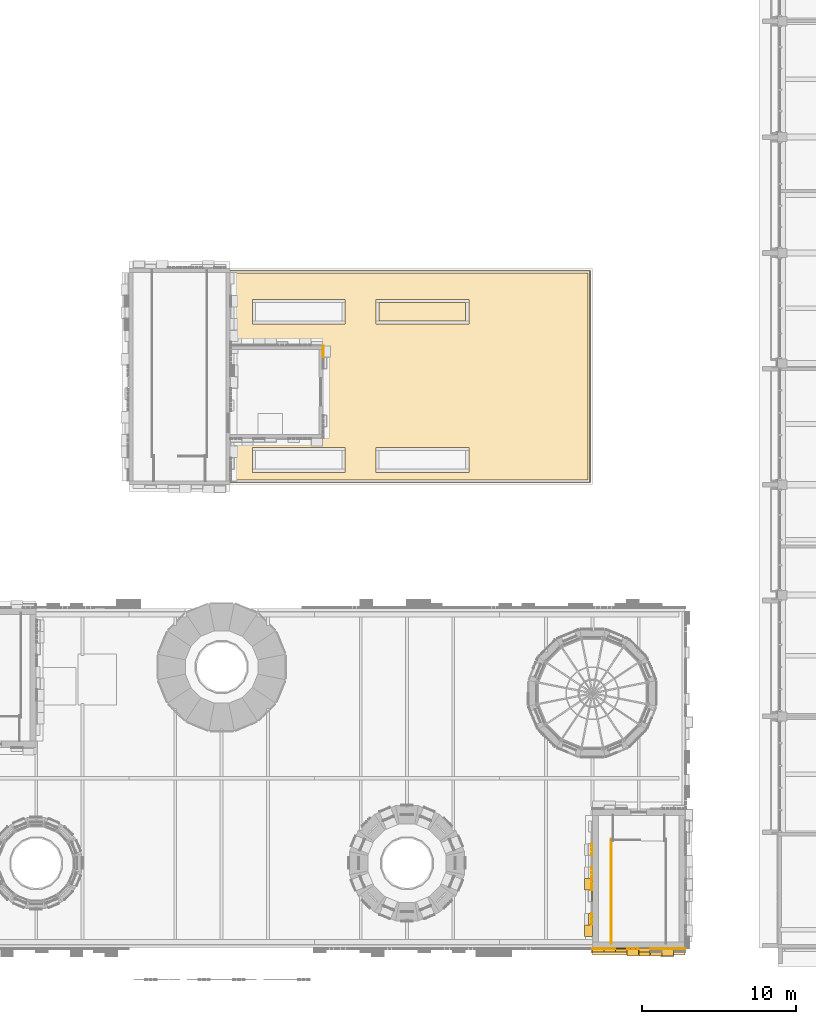
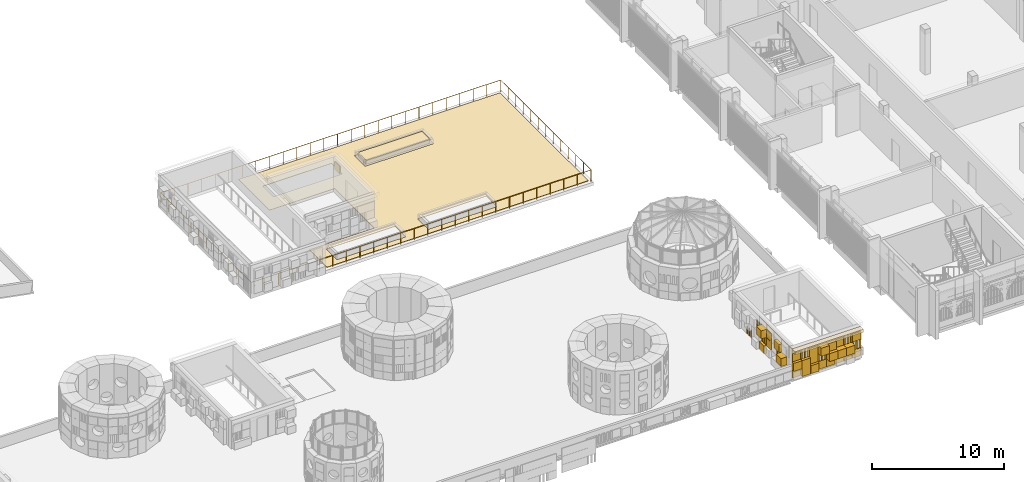
# One storey, part 83 of 98: 13 coverings, 2 railings.
"""IFC4 building model written with IfcOpenShell, lengths in metres."""

from ifc_helpers import new_model, si_unit, direction, frame, origin, origin_2d, place, context, subcontext, project, spatial, polyline, rectangle, circle, outline, extrude, material, layer, layer_set, type_object, element, save


model = new_model("IFC4")

# Units and contexts
model_context = context("Model", 3, precision=1e-05, world=origin(), true_north=direction((0.0, 1.0)))
body_context = subcontext(model_context, "Body", "Model", "MODEL_VIEW")
ifc_project = project(units=[si_unit("LENGTHUNIT", "METRE"), si_unit("AREAUNIT", "SQUARE_METRE"), si_unit("VOLUMEUNIT", "CUBIC_METRE"), si_unit("PLANEANGLEUNIT", "RADIAN"), si_unit("MASSUNIT", "GRAM", prefix="KILO")], contexts=[model_context])

# Site, building, storey
site_placement = place(None, origin())
site = spatial("IfcSite", under=ifc_project, at=site_placement, CompositionType="ELEMENT")
building_placement = place(site_placement, origin())
building = spatial("IfcBuilding", under=site, at=building_placement, Name="Sun Court Science Centre", CompositionType="ELEMENT")
storey_placement = place(building_placement, frame((0.0, 0.0, 15.75)))
storey = spatial("IfcBuildingStorey", under=building, at=storey_placement, Name="L03", CompositionType="ELEMENT", Elevation=15.75)

# Railing
ifc_material_1 = material(Name="Steel S275", Category="steel")
railing_type_1 = type_object("IfcRailingType", Name="Guard 1100 steel balustrade", PredefinedType="GUARDRAIL", material=ifc_material_1)
railing_1_placement = place(storey_placement, frame((67.22705078125, 13.052001953125, 0.0)))
element("IfcRailing", 1, at=railing_1_placement, inside=storey, type_object=railing_type_1, Name="L03 SB3 top well guard 2", PredefinedType="GUARDRAIL", context=body_context, shape_type="SweptSolid", body=[
    extrude(circle(Radius=0.02392578125, at=origin_2d()), frame((0.0, 0.0, 1.076171875), z_axis=(0.0, -1.0, 0.0), x_axis=(1.0, 0.0, 0.0)), (0.0, 0.0, 1.0), 6.751953125),
    extrude(circle(Radius=0.02099609375, at=origin_2d()), origin(), (0.0, 0.0, 1.0), 1.052001953125),
    extrude(circle(Radius=0.02099609375, at=origin_2d()), frame((0.0, -1.125244140625, 0.0)), (0.0, 0.0, 1.0), 1.052001953125),
    extrude(circle(Radius=0.02099609375, at=origin_2d()), frame((0.0, -2.250732421875, 0.0)), (0.0, 0.0, 1.0), 1.052001953125),
    extrude(circle(Radius=0.02099609375, at=origin_2d()), frame((0.0, -3.3759765625, 0.0)), (0.0, 0.0, 1.0), 1.052001953125),
    extrude(circle(Radius=0.02099609375, at=origin_2d()), frame((0.0, -4.501220703125, 0.0)), (0.0, 0.0, 1.0), 1.052001953125),
    extrude(circle(Radius=0.02099609375, at=origin_2d()), frame((0.0, -5.626708984375, 0.0)), (0.0, 0.0, 1.0), 1.052001953125),
    extrude(circle(Radius=0.02099609375, at=origin_2d()), frame((0.0, -6.751953125, 0.0)), (0.0, 0.0, 1.0), 1.052001953125),
])

# Covering
ifc_material_2 = material(Name="Planting soil and lawn")
ifc_layer_1 = layer(ifc_material_2, 0.199951171875)
ifc_layer_set_1 = layer_set([ifc_layer_1], Name="Planting soil and lawn")
covering_type_1 = type_object("IfcCoveringType", Name="Planting bed 200", PredefinedType="FLOORING", material=ifc_layer_set_1)
covering_1_placement = place(storey_placement, origin())
element("IfcCovering", 2, at=covering_1_placement, inside=storey, type_object=covering_type_1, Name="Roof garden planting bed", PredefinedType="FLOORING", context=body_context, shape_type="SweptSolid", body=[
    extrude(outline(polyline([(52.199951171875, 46.60009765625), (57.800048828125, 46.60009765625), (57.800048828125, 47.800048828125), (52.199951171875, 47.800048828125), (52.199951171875, 46.60009765625)])), origin(), (0.0, 0.0, 1.0), 0.39990234375),
])

# Railing
ifc_material_3 = material(Name="Steel S275", Category="steel")
railing_type_2 = type_object("IfcRailingType", Name="Roof guard 1100 steel balustrade", PredefinedType="GUARDRAIL", material=ifc_material_3)
railing_2_placement = place(storey_placement, frame((65.85009765625, 36.14990234375, 0.0)))
element("IfcRailing", 3, at=railing_2_placement, inside=storey, type_object=railing_type_2, Name="Pavilion roof garden guard", PredefinedType="GUARDRAIL", context=body_context, shape_type="SweptSolid", body=[
    extrude(circle(Radius=0.02392578125, at=origin_2d()), frame((0.0, 0.0, 1.076171875), z_axis=(0.0, 1.0, 0.0), x_axis=(-1.0, 0.0, 0.0)), (0.0, 0.0, 1.0), 13.7001953125),
    extrude(circle(Radius=0.02392578125, at=origin_2d()), frame((0.0, 13.7001953125, 1.076171875), z_axis=(-1.0, 0.0, 0.0), x_axis=(0.0, -1.0, 0.0)), (0.0, 0.0, 1.0), 29.7001953125),
    extrude(circle(Radius=0.02392578125, at=origin_2d()), frame((-29.7001953125, 13.7001953125, 1.076171875), z_axis=(0.0, -1.0, 0.0), x_axis=(1.0, 0.0, 0.0)), (0.0, 0.0, 1.0), 13.7001953125),
    extrude(circle(Radius=0.02392578125, at=origin_2d()), frame((-29.7001953125, 0.0, 1.076171875), z_axis=(1.0, 0.0, 0.0), x_axis=(0.0, 1.0, 0.0)), (0.0, 0.0, 1.0), 29.7001953125),
    extrude(circle(Radius=0.02099609375, at=origin_2d()), origin(), (0.0, 0.0, 1.0), 1.052001953125),
    extrude(circle(Radius=0.02099609375, at=origin_2d()), frame((0.0, 1.1416015625, 0.0)), (0.0, 0.0, 1.0), 1.052001953125),
    extrude(circle(Radius=0.02099609375, at=origin_2d()), frame((0.0, 2.283447265625, 0.0)), (0.0, 0.0, 1.0), 1.052001953125),
    extrude(circle(Radius=0.02099609375, at=origin_2d()), frame((0.0, 3.425048828125, 0.0)), (0.0, 0.0, 1.0), 1.052001953125),
    extrude(circle(Radius=0.02099609375, at=origin_2d()), frame((0.0, 4.566650390625, 0.0)), (0.0, 0.0, 1.0), 1.052001953125),
    extrude(circle(Radius=0.02099609375, at=origin_2d()), frame((0.0, 5.70849609375, 0.0)), (0.0, 0.0, 1.0), 1.052001953125),
    extrude(circle(Radius=0.02099609375, at=origin_2d()), frame((0.0, 6.85009765625, 0.0)), (0.0, 0.0, 1.0), 1.052001953125),
    extrude(circle(Radius=0.02099609375, at=origin_2d()), frame((0.0, 7.99169921875, 0.0)), (0.0, 0.0, 1.0), 1.052001953125),
    extrude(circle(Radius=0.02099609375, at=origin_2d()), frame((0.0, 9.133544921875, 0.0)), (0.0, 0.0, 1.0), 1.052001953125),
    extrude(circle(Radius=0.02099609375, at=origin_2d()), frame((0.0, 10.275146484375, 0.0)), (0.0, 0.0, 1.0), 1.052001953125),
    extrude(circle(Radius=0.02099609375, at=origin_2d()), frame((0.0, 11.416748046875, 0.0)), (0.0, 0.0, 1.0), 1.052001953125),
    extrude(circle(Radius=0.02099609375, at=origin_2d()), frame((0.0, 12.55859375, 0.0)), (0.0, 0.0, 1.0), 1.052001953125),
    extrude(circle(Radius=0.02099609375, at=origin_2d()), frame((0.0, 13.7001953125, 0.0)), (0.0, 0.0, 1.0), 1.052001953125),
    extrude(circle(Radius=0.02099609375, at=origin_2d()), frame((-1.18798828125, 13.7001953125, 0.0)), (0.0, 0.0, 1.0), 1.052001953125),
    extrude(circle(Radius=0.02099609375, at=origin_2d()), frame((-2.3759765625, 13.7001953125, 0.0)), (0.0, 0.0, 1.0), 1.052001953125),
    extrude(circle(Radius=0.02099609375, at=origin_2d()), frame((-3.56396484375, 13.7001953125, 0.0)), (0.0, 0.0, 1.0), 1.052001953125),
    extrude(circle(Radius=0.02099609375, at=origin_2d()), frame((-4.751953125, 13.7001953125, 0.0)), (0.0, 0.0, 1.0), 1.052001953125),
    extrude(circle(Radius=0.02099609375, at=origin_2d()), frame((-5.93994140625, 13.7001953125, 0.0)), (0.0, 0.0, 1.0), 1.052001953125),
    extrude(circle(Radius=0.02099609375, at=origin_2d()), frame((-7.1279296875, 13.7001953125, 0.0)), (0.0, 0.0, 1.0), 1.052001953125),
    extrude(circle(Radius=0.02099609375, at=origin_2d()), frame((-8.316162109375, 13.7001953125, 0.0)), (0.0, 0.0, 1.0), 1.052001953125),
    extrude(circle(Radius=0.02099609375, at=origin_2d()), frame((-9.504150390625, 13.7001953125, 0.0)), (0.0, 0.0, 1.0), 1.052001953125),
    extrude(circle(Radius=0.02099609375, at=origin_2d()), frame((-10.692138671875, 13.7001953125, 0.0)), (0.0, 0.0, 1.0), 1.052001953125),
    extrude(circle(Radius=0.02099609375, at=origin_2d()), frame((-11.880126953125, 13.7001953125, 0.0)), (0.0, 0.0, 1.0), 1.052001953125),
    extrude(circle(Radius=0.02099609375, at=origin_2d()), frame((-13.068115234375, 13.7001953125, 0.0)), (0.0, 0.0, 1.0), 1.052001953125),
    extrude(circle(Radius=0.02099609375, at=origin_2d()), frame((-14.256103515625, 13.7001953125, 0.0)), (0.0, 0.0, 1.0), 1.052001953125),
    extrude(circle(Radius=0.02099609375, at=origin_2d()), frame((-15.444091796875, 13.7001953125, 0.0)), (0.0, 0.0, 1.0), 1.052001953125),
    extrude(circle(Radius=0.02099609375, at=origin_2d()), frame((-16.632080078125, 13.7001953125, 0.0)), (0.0, 0.0, 1.0), 1.052001953125),
    extrude(circle(Radius=0.02099609375, at=origin_2d()), frame((-17.820068359375, 13.7001953125, 0.0)), (0.0, 0.0, 1.0), 1.052001953125),
    extrude(circle(Radius=0.02099609375, at=origin_2d()), frame((-19.008056640625, 13.7001953125, 0.0)), (0.0, 0.0, 1.0), 1.052001953125),
    extrude(circle(Radius=0.02099609375, at=origin_2d()), frame((-20.196044921875, 13.7001953125, 0.0)), (0.0, 0.0, 1.0), 1.052001953125),
    extrude(circle(Radius=0.02099609375, at=origin_2d()), frame((-21.384033203125, 13.7001953125, 0.0)), (0.0, 0.0, 1.0), 1.052001953125),
    extrude(circle(Radius=0.02099609375, at=origin_2d()), frame((-22.572265625, 13.7001953125, 0.0)), (0.0, 0.0, 1.0), 1.052001953125),
    extrude(circle(Radius=0.02099609375, at=origin_2d()), frame((-23.76025390625, 13.7001953125, 0.0)), (0.0, 0.0, 1.0), 1.052001953125),
    extrude(circle(Radius=0.02099609375, at=origin_2d()), frame((-24.9482421875, 13.7001953125, 0.0)), (0.0, 0.0, 1.0), 1.052001953125),
    extrude(circle(Radius=0.02099609375, at=origin_2d()), frame((-26.13623046875, 13.7001953125, 0.0)), (0.0, 0.0, 1.0), 1.052001953125),
    extrude(circle(Radius=0.02099609375, at=origin_2d()), frame((-27.32421875, 13.7001953125, 0.0)), (0.0, 0.0, 1.0), 1.052001953125),
    extrude(circle(Radius=0.02099609375, at=origin_2d()), frame((-28.51220703125, 13.7001953125, 0.0)), (0.0, 0.0, 1.0), 1.052001953125),
    extrude(circle(Radius=0.02099609375, at=origin_2d()), frame((-29.7001953125, 13.7001953125, 0.0)), (0.0, 0.0, 1.0), 1.052001953125),
    extrude(circle(Radius=0.02099609375, at=origin_2d()), frame((-29.7001953125, 12.55859375, 0.0)), (0.0, 0.0, 1.0), 1.052001953125),
    extrude(circle(Radius=0.02099609375, at=origin_2d()), frame((-29.7001953125, 11.416748046875, 0.0)), (0.0, 0.0, 1.0), 1.052001953125),
    extrude(circle(Radius=0.02099609375, at=origin_2d()), frame((-29.7001953125, 10.275146484375, 0.0)), (0.0, 0.0, 1.0), 1.052001953125),
    extrude(circle(Radius=0.02099609375, at=origin_2d()), frame((-29.7001953125, 9.133544921875, 0.0)), (0.0, 0.0, 1.0), 1.052001953125),
    extrude(circle(Radius=0.02099609375, at=origin_2d()), frame((-29.7001953125, 7.99169921875, 0.0)), (0.0, 0.0, 1.0), 1.052001953125),
    extrude(circle(Radius=0.02099609375, at=origin_2d()), frame((-29.7001953125, 6.85009765625, 0.0)), (0.0, 0.0, 1.0), 1.052001953125),
    extrude(circle(Radius=0.02099609375, at=origin_2d()), frame((-29.7001953125, 5.70849609375, 0.0)), (0.0, 0.0, 1.0), 1.052001953125),
    extrude(circle(Radius=0.02099609375, at=origin_2d()), frame((-29.7001953125, 4.566650390625, 0.0)), (0.0, 0.0, 1.0), 1.052001953125),
    extrude(circle(Radius=0.02099609375, at=origin_2d()), frame((-29.7001953125, 3.425048828125, 0.0)), (0.0, 0.0, 1.0), 1.052001953125),
    extrude(circle(Radius=0.02099609375, at=origin_2d()), frame((-29.7001953125, 2.283447265625, 0.0)), (0.0, 0.0, 1.0), 1.052001953125),
    extrude(circle(Radius=0.02099609375, at=origin_2d()), frame((-29.7001953125, 1.1416015625, 0.0)), (0.0, 0.0, 1.0), 1.052001953125),
    extrude(circle(Radius=0.02099609375, at=origin_2d()), frame((-29.7001953125, 0.0, 0.0)), (0.0, 0.0, 1.0), 1.052001953125),
    extrude(circle(Radius=0.02099609375, at=origin_2d()), frame((-28.51220703125, 0.0, 0.0)), (0.0, 0.0, 1.0), 1.052001953125),
    extrude(circle(Radius=0.02099609375, at=origin_2d()), frame((-27.32421875, 0.0, 0.0)), (0.0, 0.0, 1.0), 1.052001953125),
    extrude(circle(Radius=0.02099609375, at=origin_2d()), frame((-26.13623046875, 0.0, 0.0)), (0.0, 0.0, 1.0), 1.052001953125),
    extrude(circle(Radius=0.02099609375, at=origin_2d()), frame((-24.9482421875, 0.0, 0.0)), (0.0, 0.0, 1.0), 1.052001953125),
    extrude(circle(Radius=0.02099609375, at=origin_2d()), frame((-23.76025390625, 0.0, 0.0)), (0.0, 0.0, 1.0), 1.052001953125),
    extrude(circle(Radius=0.02099609375, at=origin_2d()), frame((-22.572265625, 0.0, 0.0)), (0.0, 0.0, 1.0), 1.052001953125),
    extrude(circle(Radius=0.02099609375, at=origin_2d()), frame((-21.384033203125, 0.0, 0.0)), (0.0, 0.0, 1.0), 1.052001953125),
    extrude(circle(Radius=0.02099609375, at=origin_2d()), frame((-20.196044921875, 0.0, 0.0)), (0.0, 0.0, 1.0), 1.052001953125),
    extrude(circle(Radius=0.02099609375, at=origin_2d()), frame((-19.008056640625, 0.0, 0.0)), (0.0, 0.0, 1.0), 1.052001953125),
    extrude(circle(Radius=0.02099609375, at=origin_2d()), frame((-17.820068359375, 0.0, 0.0)), (0.0, 0.0, 1.0), 1.052001953125),
    extrude(circle(Radius=0.02099609375, at=origin_2d()), frame((-16.632080078125, 0.0, 0.0)), (0.0, 0.0, 1.0), 1.052001953125),
    extrude(circle(Radius=0.02099609375, at=origin_2d()), frame((-15.444091796875, 0.0, 0.0)), (0.0, 0.0, 1.0), 1.052001953125),
    extrude(circle(Radius=0.02099609375, at=origin_2d()), frame((-14.256103515625, 0.0, 0.0)), (0.0, 0.0, 1.0), 1.052001953125),
    extrude(circle(Radius=0.02099609375, at=origin_2d()), frame((-13.068115234375, 0.0, 0.0)), (0.0, 0.0, 1.0), 1.052001953125),
    extrude(circle(Radius=0.02099609375, at=origin_2d()), frame((-11.880126953125, 0.0, 0.0)), (0.0, 0.0, 1.0), 1.052001953125),
    extrude(circle(Radius=0.02099609375, at=origin_2d()), frame((-10.692138671875, 0.0, 0.0)), (0.0, 0.0, 1.0), 1.052001953125),
    extrude(circle(Radius=0.02099609375, at=origin_2d()), frame((-9.504150390625, 0.0, 0.0)), (0.0, 0.0, 1.0), 1.052001953125),
    extrude(circle(Radius=0.02099609375, at=origin_2d()), frame((-8.316162109375, 0.0, 0.0)), (0.0, 0.0, 1.0), 1.052001953125),
    extrude(circle(Radius=0.02099609375, at=origin_2d()), frame((-7.1279296875, 0.0, 0.0)), (0.0, 0.0, 1.0), 1.052001953125),
    extrude(circle(Radius=0.02099609375, at=origin_2d()), frame((-5.93994140625, 0.0, 0.0)), (0.0, 0.0, 1.0), 1.052001953125),
    extrude(circle(Radius=0.02099609375, at=origin_2d()), frame((-4.751953125, 0.0, 0.0)), (0.0, 0.0, 1.0), 1.052001953125),
    extrude(circle(Radius=0.02099609375, at=origin_2d()), frame((-3.56396484375, 0.0, 0.0)), (0.0, 0.0, 1.0), 1.052001953125),
    extrude(circle(Radius=0.02099609375, at=origin_2d()), frame((-2.3759765625, 0.0, 0.0)), (0.0, 0.0, 1.0), 1.052001953125),
    extrude(circle(Radius=0.02099609375, at=origin_2d()), frame((-1.18798828125, 0.0, 0.0)), (0.0, 0.0, 1.0), 1.052001953125),
])

# Coverings
ifc_material_4 = material(Name="Sandstone paving", Category="masonry")
ifc_layer_2 = layer(ifc_material_4, 0.0400390625)
ifc_layer_set_2 = layer_set([ifc_layer_2], Name="Sandstone paving")
covering_type_2 = type_object("IfcCoveringType", Name="Terrace paving 40", PredefinedType="FLOORING", material=ifc_layer_set_2)
covering_2_placement = place(storey_placement, origin())
element("IfcCovering", 4, at=covering_2_placement, inside=storey, type_object=covering_type_2, Name="Pavilion roof garden paving", PredefinedType="FLOORING", context=body_context, shape_type="SweptSolid", body=[
    extrude(outline(polyline([(65.699951171875, 36.300048828125), (42.85009765625, 36.300048828125), (42.85009765625, 39.0), (48.550048828125, 39.0), (48.550048828125, 45.0), (42.85009765625, 45.0), (42.85009765625, 49.699951171875), (65.699951171875, 49.699951171875), (65.699951171875, 36.300048828125)]), holes=[polyline([(50.0, 38.39990234375), (44.0, 38.39990234375), (44.0, 36.800048828125), (50.0, 36.800048828125), (50.0, 38.39990234375)]), polyline([(58.0, 38.39990234375), (52.0, 38.39990234375), (52.0, 36.800048828125), (58.0, 36.800048828125), (58.0, 38.39990234375)]), polyline([(50.0, 48.0), (44.0, 48.0), (44.0, 46.39990234375), (50.0, 46.39990234375), (50.0, 48.0)]), polyline([(58.0, 48.0), (52.0, 48.0), (52.0, 46.39990234375), (58.0, 46.39990234375), (58.0, 48.0)])]), origin(), (0.0, 0.0, 1.0), 0.0400390625),
])
ifc_material_5 = material(Name="Terracotta panel", Category="masonry")
ifc_layer_3 = layer(ifc_material_5, 0.449951171875)
ifc_layer_set_3 = layer_set([ifc_layer_3], Name="Terracotta panel")
covering_type_3 = type_object("IfcCoveringType", Name="Terracotta cornice 450", PredefinedType="CLADDING", material=ifc_layer_set_3)
covering_3_placement = place(storey_placement, frame((0.0, 0.0, -15.75)))
element("IfcCovering", 5, at=covering_3_placement, inside=storey, type_object=covering_type_3, Name="Terracotta cornice south face of core L03", PredefinedType="CLADDING", context=body_context, shape_type="SweptSolid", body=[
    extrude(rectangle(XDim=6.0, YDim=0.449951171875, at=origin_2d()), frame((69.0, 5.77490234375, 18.2001953125), z_axis=(0.0, 0.0, 1.0), x_axis=(-1.0, 0.0, 0.0)), (0.0, 0.0, 1.0), 0.300048828125),
])
ifc_material_6 = material(Name="Terracotta jali", Category="masonry")
ifc_layer_4 = layer(ifc_material_6, 0.06005859375)
ifc_layer_set_4 = layer_set([ifc_layer_4], Name="Terracotta jali")
covering_type_4 = type_object("IfcCoveringType", Name="Terracotta open jali panel", PredefinedType="CLADDING", material=ifc_layer_set_4)
covering_4_placement = place(storey_placement, frame((0.0, 0.0, -15.75)))
element("IfcCovering", 6, at=covering_4_placement, inside=storey, type_object=covering_type_4, Name="Open jali pixel cladding south face of core L03", PredefinedType="CLADDING", context=body_context, shape_type="SweptSolid", body=[
    extrude(rectangle(XDim=0.139892578125, YDim=0.06005859375, at=origin_2d()), frame((71.925048828125, 5.969970703125, 16.580078125), z_axis=(0.0, 0.0, 1.0), x_axis=(-1.0, 0.0, 0.0)), (0.0, 0.0, 1.0), 0.739990234375),
    extrude(rectangle(XDim=0.139892578125, YDim=0.06005859375, at=origin_2d()), frame((71.625, 5.969970703125, 16.580078125), z_axis=(0.0, 0.0, 1.0), x_axis=(-1.0, 0.0, 0.0)), (0.0, 0.0, 1.0), 0.739990234375),
    extrude(rectangle(XDim=0.139892578125, YDim=0.06005859375, at=origin_2d()), frame((71.324951171875, 5.969970703125, 16.580078125), z_axis=(0.0, 0.0, 1.0), x_axis=(-1.0, 0.0, 0.0)), (0.0, 0.0, 1.0), 0.739990234375),
    extrude(rectangle(XDim=0.139892578125, YDim=0.06005859375, at=origin_2d()), frame((68.925048828125, 5.969970703125, 16.580078125), z_axis=(0.0, 0.0, 1.0), x_axis=(-1.0, 0.0, 0.0)), (0.0, 0.0, 1.0), 0.739990234375),
    extrude(rectangle(XDim=0.139892578125, YDim=0.06005859375, at=origin_2d()), frame((68.625, 5.969970703125, 16.580078125), z_axis=(0.0, 0.0, 1.0), x_axis=(-1.0, 0.0, 0.0)), (0.0, 0.0, 1.0), 0.739990234375),
    extrude(rectangle(XDim=0.139892578125, YDim=0.06005859375, at=origin_2d()), frame((68.324951171875, 5.969970703125, 16.580078125), z_axis=(0.0, 0.0, 1.0), x_axis=(-1.0, 0.0, 0.0)), (0.0, 0.0, 1.0), 0.739990234375),
    extrude(rectangle(XDim=0.139892578125, YDim=0.06005859375, at=origin_2d()), frame((71.175048828125, 5.969970703125, 17.330078125), z_axis=(0.0, 0.0, 1.0), x_axis=(-1.0, 0.0, 0.0)), (0.0, 0.0, 1.0), 0.739990234375),
    extrude(rectangle(XDim=0.139892578125, YDim=0.06005859375, at=origin_2d()), frame((70.875, 5.969970703125, 17.330078125), z_axis=(0.0, 0.0, 1.0), x_axis=(-1.0, 0.0, 0.0)), (0.0, 0.0, 1.0), 0.739990234375),
    extrude(rectangle(XDim=0.139892578125, YDim=0.06005859375, at=origin_2d()), frame((70.574951171875, 5.969970703125, 17.330078125), z_axis=(0.0, 0.0, 1.0), x_axis=(-1.0, 0.0, 0.0)), (0.0, 0.0, 1.0), 0.739990234375),
    extrude(rectangle(XDim=0.139892578125, YDim=0.06005859375, at=origin_2d()), frame((67.425048828125, 5.969970703125, 17.330078125), z_axis=(0.0, 0.0, 1.0), x_axis=(-1.0, 0.0, 0.0)), (0.0, 0.0, 1.0), 0.739990234375),
    extrude(rectangle(XDim=0.139892578125, YDim=0.06005859375, at=origin_2d()), frame((67.125, 5.969970703125, 17.330078125), z_axis=(0.0, 0.0, 1.0), x_axis=(-1.0, 0.0, 0.0)), (0.0, 0.0, 1.0), 0.739990234375),
    extrude(rectangle(XDim=0.139892578125, YDim=0.06005859375, at=origin_2d()), frame((66.824951171875, 5.969970703125, 17.330078125), z_axis=(0.0, 0.0, 1.0), x_axis=(-1.0, 0.0, 0.0)), (0.0, 0.0, 1.0), 0.739990234375),
    extrude(rectangle(XDim=0.739990234375, YDim=0.06005859375, at=origin_2d()), frame((71.625, 5.969970703125, 15.830078125), z_axis=(0.0, 0.0, 1.0), x_axis=(-1.0, 0.0, 0.0)), (0.0, 0.0, 1.0), 0.739990234375),
    extrude(rectangle(XDim=0.739990234375, YDim=0.06005859375, at=origin_2d()), frame((71.625, 5.969970703125, 17.330078125), z_axis=(0.0, 0.0, 1.0), x_axis=(-1.0, 0.0, 0.0)), (0.0, 0.0, 1.0), 0.739990234375),
])
covering_5_placement = place(storey_placement, frame((0.0, 0.0, -15.75)))
element("IfcCovering", 7, at=covering_5_placement, inside=storey, type_object=covering_type_4, Name="Open jali pixel cladding west face of core L03", PredefinedType="CLADDING", context=body_context, shape_type="SweptSolid", body=[
    extrude(rectangle(XDim=0.139892578125, YDim=0.06005859375, at=origin_2d()), frame((65.969970703125, 12.074951171875, 15.830078125), z_axis=(0.0, 0.0, 1.0), x_axis=(0.0, 1.0, 0.0)), (0.0, 0.0, 1.0), 0.739990234375),
    extrude(rectangle(XDim=0.139892578125, YDim=0.06005859375, at=origin_2d()), frame((65.969970703125, 12.375, 15.830078125), z_axis=(0.0, 0.0, 1.0), x_axis=(0.0, 1.0, 0.0)), (0.0, 0.0, 1.0), 0.739990234375),
    extrude(rectangle(XDim=0.139892578125, YDim=0.06005859375, at=origin_2d()), frame((65.969970703125, 12.675048828125, 15.830078125), z_axis=(0.0, 0.0, 1.0), x_axis=(0.0, 1.0, 0.0)), (0.0, 0.0, 1.0), 0.739990234375),
    extrude(rectangle(XDim=0.139892578125, YDim=0.06005859375, at=origin_2d()), frame((65.969970703125, 7.574951171875, 16.580078125), z_axis=(0.0, 0.0, 1.0), x_axis=(0.0, 1.0, 0.0)), (0.0, 0.0, 1.0), 0.739990234375),
    extrude(rectangle(XDim=0.139892578125, YDim=0.06005859375, at=origin_2d()), frame((65.969970703125, 7.875, 16.580078125), z_axis=(0.0, 0.0, 1.0), x_axis=(0.0, 1.0, 0.0)), (0.0, 0.0, 1.0), 0.739990234375),
    extrude(rectangle(XDim=0.139892578125, YDim=0.06005859375, at=origin_2d()), frame((65.969970703125, 8.175048828125, 16.580078125), z_axis=(0.0, 0.0, 1.0), x_axis=(0.0, 1.0, 0.0)), (0.0, 0.0, 1.0), 0.739990234375),
    extrude(rectangle(XDim=0.139892578125, YDim=0.06005859375, at=origin_2d()), frame((65.969970703125, 9.824951171875, 16.580078125), z_axis=(0.0, 0.0, 1.0), x_axis=(0.0, 1.0, 0.0)), (0.0, 0.0, 1.0), 0.739990234375),
    extrude(rectangle(XDim=0.139892578125, YDim=0.06005859375, at=origin_2d()), frame((65.969970703125, 10.125, 16.580078125), z_axis=(0.0, 0.0, 1.0), x_axis=(0.0, 1.0, 0.0)), (0.0, 0.0, 1.0), 0.739990234375),
    extrude(rectangle(XDim=0.139892578125, YDim=0.06005859375, at=origin_2d()), frame((65.969970703125, 10.425048828125, 16.580078125), z_axis=(0.0, 0.0, 1.0), x_axis=(0.0, 1.0, 0.0)), (0.0, 0.0, 1.0), 0.739990234375),
    extrude(rectangle(XDim=0.139892578125, YDim=0.06005859375, at=origin_2d()), frame((65.969970703125, 10.574951171875, 17.330078125), z_axis=(0.0, 0.0, 1.0), x_axis=(0.0, 1.0, 0.0)), (0.0, 0.0, 1.0), 0.739990234375),
    extrude(rectangle(XDim=0.139892578125, YDim=0.06005859375, at=origin_2d()), frame((65.969970703125, 10.875, 17.330078125), z_axis=(0.0, 0.0, 1.0), x_axis=(0.0, 1.0, 0.0)), (0.0, 0.0, 1.0), 0.739990234375),
    extrude(rectangle(XDim=0.139892578125, YDim=0.06005859375, at=origin_2d()), frame((65.969970703125, 11.175048828125, 17.330078125), z_axis=(0.0, 0.0, 1.0), x_axis=(0.0, 1.0, 0.0)), (0.0, 0.0, 1.0), 0.739990234375),
])
ifc_material_7 = material(Name="Terracotta shade 1", Category="masonry")
ifc_layer_5 = layer(ifc_material_7, 0.06005859375)
ifc_layer_set_5 = layer_set([ifc_layer_5], Name="Terracotta shade 1")
covering_type_5 = type_object("IfcCoveringType", Name="Terracotta pixel panel shade 1", PredefinedType="CLADDING", material=ifc_layer_set_5)
covering_6_placement = place(storey_placement, frame((0.0, 0.0, -15.75)))
element("IfcCovering", 8, at=covering_6_placement, inside=storey, type_object=covering_type_5, Name="Terracotta pixel cladding shade 1 south face of core L03", PredefinedType="CLADDING", context=body_context, shape_type="SweptSolid", body=[
    extrude(rectangle(XDim=0.739990234375, YDim=0.06005859375, at=origin_2d()), frame((69.375, 5.969970703125, 15.830078125), z_axis=(0.0, 0.0, 1.0), x_axis=(-1.0, 0.0, 0.0)), (0.0, 0.0, 1.0), 0.739990234375),
    extrude(rectangle(XDim=0.739990234375, YDim=0.260009765625, at=origin_2d()), frame((67.875, 5.8701171875, 15.830078125), z_axis=(0.0, 0.0, 1.0), x_axis=(-1.0, 0.0, 0.0)), (0.0, 0.0, 1.0), 0.739990234375),
    extrude(rectangle(XDim=0.739990234375, YDim=0.510009765625, at=origin_2d()), frame((70.125, 5.7451171875, 16.580078125), z_axis=(0.0, 0.0, 1.0), x_axis=(-1.0, 0.0, 0.0)), (0.0, 0.0, 1.0), 0.739990234375),
    extrude(rectangle(XDim=0.739990234375, YDim=0.260009765625, at=origin_2d()), frame((66.375, 5.8701171875, 16.580078125), z_axis=(0.0, 0.0, 1.0), x_axis=(-1.0, 0.0, 0.0)), (0.0, 0.0, 1.0), 0.739990234375),
    extrude(rectangle(XDim=0.739990234375, YDim=0.06005859375, at=origin_2d()), frame((66.375, 5.969970703125, 15.830078125), z_axis=(0.0, 0.0, 1.0), x_axis=(-1.0, 0.0, 0.0)), (0.0, 0.0, 1.0), 0.739990234375),
])
ifc_material_8 = material(Name="Terracotta shade 2", Category="masonry")
ifc_layer_6 = layer(ifc_material_8, 0.06005859375)
ifc_layer_set_6 = layer_set([ifc_layer_6], Name="Terracotta shade 2")
covering_type_6 = type_object("IfcCoveringType", Name="Terracotta pixel panel shade 2", PredefinedType="CLADDING", material=ifc_layer_set_6)
covering_7_placement = place(storey_placement, frame((0.0, 0.0, -15.75)))
element("IfcCovering", 9, at=covering_7_placement, inside=storey, type_object=covering_type_6, Name="Terracotta pixel cladding shade 2 south face of core L03", PredefinedType="CLADDING", context=body_context, shape_type="SweptSolid", body=[
    extrude(rectangle(XDim=0.739990234375, YDim=0.06005859375, at=origin_2d()), frame((70.875, 5.969970703125, 15.830078125), z_axis=(0.0, 0.0, 1.0), x_axis=(-1.0, 0.0, 0.0)), (0.0, 0.0, 1.0), 0.739990234375),
    extrude(rectangle(XDim=0.739990234375, YDim=0.260009765625, at=origin_2d()), frame((67.125, 5.8701171875, 16.580078125), z_axis=(0.0, 0.0, 1.0), x_axis=(-1.0, 0.0, 0.0)), (0.0, 0.0, 1.0), 0.739990234375),
    extrude(rectangle(XDim=0.739990234375, YDim=0.06005859375, at=origin_2d()), frame((70.125, 5.969970703125, 17.330078125), z_axis=(0.0, 0.0, 1.0), x_axis=(-1.0, 0.0, 0.0)), (0.0, 0.0, 1.0), 0.739990234375),
    extrude(rectangle(XDim=0.739990234375, YDim=0.510009765625, at=origin_2d()), frame((68.625, 5.7451171875, 17.330078125), z_axis=(0.0, 0.0, 1.0), x_axis=(-1.0, 0.0, 0.0)), (0.0, 0.0, 1.0), 0.739990234375),
    extrude(rectangle(XDim=0.739990234375, YDim=0.260009765625, at=origin_2d()), frame((67.125, 5.8701171875, 15.830078125), z_axis=(0.0, 0.0, 1.0), x_axis=(-1.0, 0.0, 0.0)), (0.0, 0.0, 1.0), 0.739990234375),
    extrude(rectangle(XDim=0.739990234375, YDim=0.510009765625, at=origin_2d()), frame((70.875, 5.7451171875, 16.580078125), z_axis=(0.0, 0.0, 1.0), x_axis=(-1.0, 0.0, 0.0)), (0.0, 0.0, 1.0), 0.739990234375),
])
ifc_material_9 = material(Name="Terracotta shade 3", Category="masonry")
ifc_layer_7 = layer(ifc_material_9, 0.06005859375)
ifc_layer_set_7 = layer_set([ifc_layer_7], Name="Terracotta shade 3")
covering_type_7 = type_object("IfcCoveringType", Name="Terracotta pixel panel shade 3", PredefinedType="CLADDING", material=ifc_layer_set_7)
covering_8_placement = place(storey_placement, frame((0.0, 0.0, -15.75)))
element("IfcCovering", 10, at=covering_8_placement, inside=storey, type_object=covering_type_7, Name="Terracotta pixel cladding shade 3 south face of core L03", PredefinedType="CLADDING", context=body_context, shape_type="SweptSolid", body=[
    extrude(rectangle(XDim=0.739990234375, YDim=0.06005859375, at=origin_2d()), frame((68.625, 5.969970703125, 15.830078125), z_axis=(0.0, 0.0, 1.0), x_axis=(-1.0, 0.0, 0.0)), (0.0, 0.0, 1.0), 0.739990234375),
    extrude(rectangle(XDim=0.739990234375, YDim=0.510009765625, at=origin_2d()), frame((69.375, 5.7451171875, 16.580078125), z_axis=(0.0, 0.0, 1.0), x_axis=(-1.0, 0.0, 0.0)), (0.0, 0.0, 1.0), 0.739990234375),
    extrude(rectangle(XDim=0.739990234375, YDim=0.06005859375, at=origin_2d()), frame((67.875, 5.969970703125, 16.580078125), z_axis=(0.0, 0.0, 1.0), x_axis=(-1.0, 0.0, 0.0)), (0.0, 0.0, 1.0), 0.739990234375),
    extrude(rectangle(XDim=0.739990234375, YDim=0.06005859375, at=origin_2d()), frame((67.875, 5.969970703125, 17.330078125), z_axis=(0.0, 0.0, 1.0), x_axis=(-1.0, 0.0, 0.0)), (0.0, 0.0, 1.0), 0.739990234375),
])
ifc_material_10 = material(Name="Terracotta shade 4", Category="masonry")
ifc_layer_8 = layer(ifc_material_10, 0.06005859375)
ifc_layer_set_8 = layer_set([ifc_layer_8], Name="Terracotta shade 4")
covering_type_8 = type_object("IfcCoveringType", Name="Terracotta pixel panel shade 4", PredefinedType="CLADDING", material=ifc_layer_set_8)
covering_9_placement = place(storey_placement, frame((0.0, 0.0, -15.75)))
element("IfcCovering", 11, at=covering_9_placement, inside=storey, type_object=covering_type_8, Name="Terracotta pixel cladding shade 4 south face of core L03", PredefinedType="CLADDING", context=body_context, shape_type="SweptSolid", body=[
    extrude(rectangle(XDim=0.739990234375, YDim=0.260009765625, at=origin_2d()), frame((69.375, 5.8701171875, 17.330078125), z_axis=(0.0, 0.0, 1.0), x_axis=(-1.0, 0.0, 0.0)), (0.0, 0.0, 1.0), 0.739990234375),
])
covering_10_placement = place(storey_placement, frame((0.0, 0.0, -15.75)))
element("IfcCovering", 12, at=covering_10_placement, inside=storey, type_object=covering_type_8, Name="Terracotta pixel cladding shade 4 west face of core L03", PredefinedType="CLADDING", context=body_context, shape_type="SweptSolid", body=[
    extrude(rectangle(XDim=0.739990234375, YDim=0.260009765625, at=origin_2d()), frame((65.8701171875, 10.125, 15.830078125), z_axis=(0.0, 0.0, 1.0), x_axis=(0.0, 1.0, 0.0)), (0.0, 0.0, 1.0), 0.739990234375),
    extrude(rectangle(XDim=0.739990234375, YDim=0.260009765625, at=origin_2d()), frame((65.8701171875, 7.875, 17.330078125), z_axis=(0.0, 0.0, 1.0), x_axis=(0.0, 1.0, 0.0)), (0.0, 0.0, 1.0), 0.739990234375),
    extrude(rectangle(XDim=0.739990234375, YDim=0.510009765625, at=origin_2d()), frame((65.7451171875, 10.125, 17.330078125), z_axis=(0.0, 0.0, 1.0), x_axis=(0.0, 1.0, 0.0)), (0.0, 0.0, 1.0), 0.739990234375),
])
ifc_material_11 = material(Name="Terracotta shade 5", Category="masonry")
ifc_layer_9 = layer(ifc_material_11, 0.06005859375)
ifc_layer_set_9 = layer_set([ifc_layer_9], Name="Terracotta shade 5")
covering_type_9 = type_object("IfcCoveringType", Name="Terracotta pixel panel shade 5", PredefinedType="CLADDING", material=ifc_layer_set_9)
covering_11_placement = place(storey_placement, frame((0.0, 0.0, -15.75)))
element("IfcCovering", 13, at=covering_11_placement, inside=storey, type_object=covering_type_9, Name="Terracotta pixel cladding shade 5 south face of core L03", PredefinedType="CLADDING", context=body_context, shape_type="SweptSolid", body=[
    extrude(rectangle(XDim=0.739990234375, YDim=0.06005859375, at=origin_2d()), frame((70.125, 5.969970703125, 15.830078125), z_axis=(0.0, 0.0, 1.0), x_axis=(-1.0, 0.0, 0.0)), (0.0, 0.0, 1.0), 0.739990234375),
    extrude(rectangle(XDim=0.739990234375, YDim=0.06005859375, at=origin_2d()), frame((66.375, 5.969970703125, 17.330078125), z_axis=(0.0, 0.0, 1.0), x_axis=(-1.0, 0.0, 0.0)), (0.0, 0.0, 1.0), 0.739990234375),
])
covering_12_placement = place(storey_placement, frame((0.0, 0.0, -15.75)))
element("IfcCovering", 14, at=covering_12_placement, inside=storey, type_object=covering_type_9, Name="Terracotta pixel cladding shade 5 west face of core L03", PredefinedType="CLADDING", context=body_context, shape_type="SweptSolid", body=[
    extrude(rectangle(XDim=0.739990234375, YDim=0.510009765625, at=origin_2d()), frame((65.7451171875, 7.125, 16.580078125), z_axis=(0.0, 0.0, 1.0), x_axis=(0.0, 1.0, 0.0)), (0.0, 0.0, 1.0), 0.739990234375),
    extrude(rectangle(XDim=0.739990234375, YDim=0.06005859375, at=origin_2d()), frame((65.969970703125, 9.375, 16.580078125), z_axis=(0.0, 0.0, 1.0), x_axis=(0.0, 1.0, 0.0)), (0.0, 0.0, 1.0), 0.739990234375),
    extrude(rectangle(XDim=0.739990234375, YDim=0.06005859375, at=origin_2d()), frame((65.969970703125, 9.375, 17.330078125), z_axis=(0.0, 0.0, 1.0), x_axis=(0.0, 1.0, 0.0)), (0.0, 0.0, 1.0), 0.739990234375),
])
covering_13_placement = place(storey_placement, frame((0.0, 0.0, -15.75)))
element("IfcCovering", 15, at=covering_13_placement, inside=storey, type_object=covering_type_9, Name="Terracotta pixel cladding shade 5 east party wall L03", PredefinedType="CLADDING", context=body_context, shape_type="SweptSolid", body=[
    extrude(rectangle(XDim=0.739990234375, YDim=0.06005859375, at=origin_2d()), frame((48.580078125, 44.625, 17.55517578125), z_axis=(0.0, 0.0, 1.0), x_axis=(0.0, -1.0, 0.0)), (0.0, 0.0, 1.0), 0.739990234375),
])

save(model, "model.ifc")
